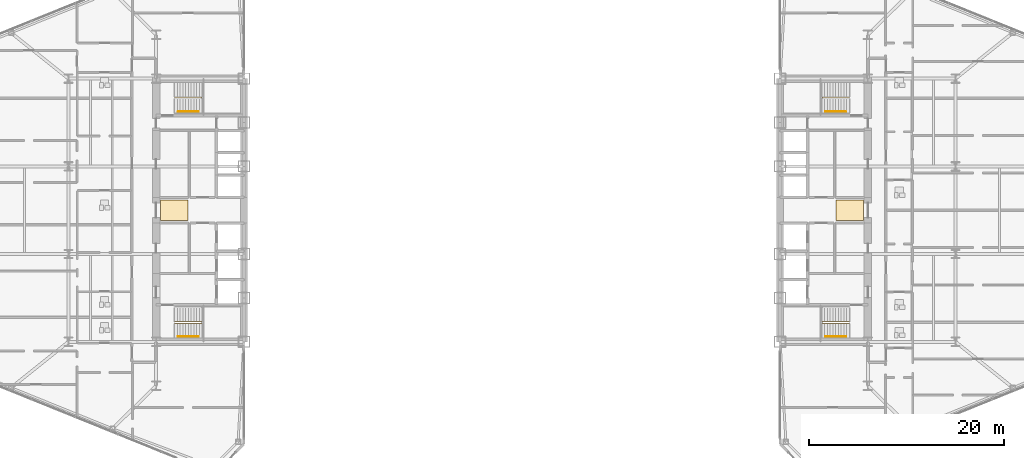
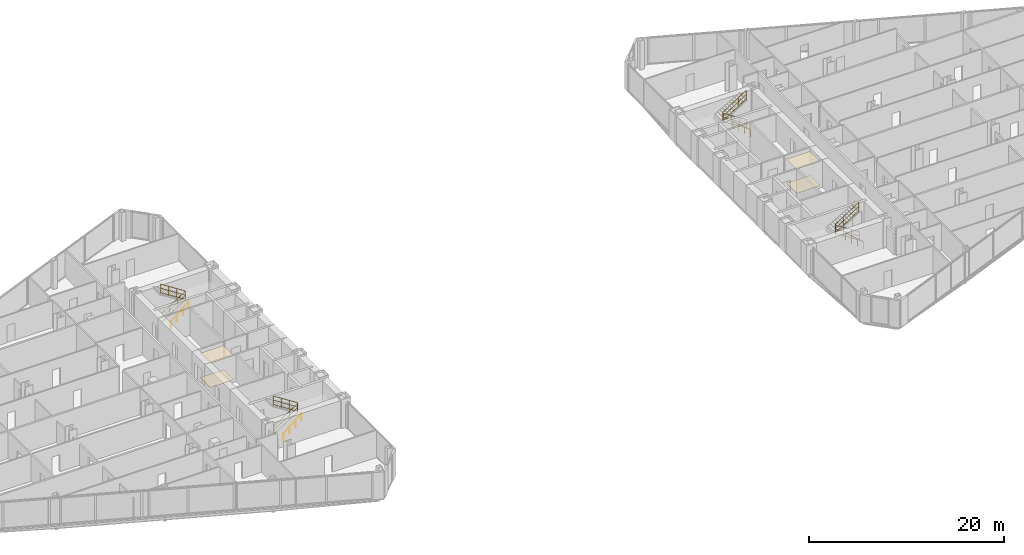
# One storey, part 24 of 25: 8 railings, 4 coverings.
"""IFC4 building model written with IfcOpenShell, lengths in metres."""

from ifc_helpers import new_model, si_unit, direction, frame, origin, origin_2d, place, context, subcontext, project, spatial, polyline, circle, outline, extrude, material, layer, layer_set, type_object, element, save


model = new_model("IFC4")

# Units and contexts
model_context = context("Model", 3, precision=1e-05, world=origin(), true_north=direction((0.0, 1.0)))
body_context = subcontext(model_context, "Body", "Model", "MODEL_VIEW")
ifc_project = project(units=[si_unit("LENGTHUNIT", "METRE"), si_unit("AREAUNIT", "SQUARE_METRE"), si_unit("VOLUMEUNIT", "CUBIC_METRE"), si_unit("PLANEANGLEUNIT", "RADIAN"), si_unit("MASSUNIT", "GRAM", prefix="KILO")], contexts=[model_context])

# Site, building, storey
site_placement = place(None, origin())
site = spatial("IfcSite", under=ifc_project, at=site_placement, CompositionType="ELEMENT")
building_placement = place(site_placement, origin())
building = spatial("IfcBuilding", under=site, at=building_placement, Name="Seokmaru Belvedere", CompositionType="ELEMENT")
storey_placement = place(building_placement, frame((0.0, 0.0, 40.5)))
storey = spatial("IfcBuildingStorey", under=building, at=storey_placement, Name="L10", CompositionType="ELEMENT", Elevation=40.5)

# Coverings
ifc_material_1 = material(Name="Engineered White Oak Timber", Category="wood")
ifc_layer_1 = layer(ifc_material_1, 0.02197265625)
ifc_layer_set_1 = layer_set([ifc_layer_1], Name="Engineered White Oak Timber")
covering_type_1 = type_object("IfcCoveringType", Name="Engineered Oak Residence Floor Finish 22", PredefinedType="FLOORING", material=ifc_layer_set_1)
covering_1_placement = place(storey_placement, origin())
element("IfcCovering", 1, at=covering_1_placement, inside=storey, type_object=covering_type_1, Name="L10 W Foyer Floor Finish", PredefinedType="FLOORING", context=body_context, shape_type="SweptSolid", body=[
    extrude(outline(polyline([(-36.050048828125, -1.050048828125), (-33.25, -1.050048828125), (-33.25, 1.050048828125), (-36.050048828125, 1.050048828125), (-36.050048828125, -1.050048828125)])), origin(), (0.0, 0.0, 1.0), 0.02197265625),
])
covering_2_placement = place(storey_placement, origin())
element("IfcCovering", 2, at=covering_2_placement, inside=storey, type_object=covering_type_1, Name="L10 E Foyer Floor Finish", PredefinedType="FLOORING", context=body_context, shape_type="SweptSolid", body=[
    extrude(outline(polyline([(33.25, -1.050048828125), (36.050048828125, -1.050048828125), (36.050048828125, 1.050048828125), (33.25, 1.050048828125), (33.25, -1.050048828125)])), origin(), (0.0, 0.0, 1.0), 0.02197265625),
])
ifc_material_2 = material(Name="Fire-Rated Gypsum Shaftwall")
ifc_layer_2 = layer(ifc_material_2, 0.02490234375)
ifc_layer_set_2 = layer_set([ifc_layer_2], Name="Fire-Rated Gypsum Shaftwall")
covering_type_2 = type_object("IfcCoveringType", Name="Perforated Acoustic Gypsum Suspended Ceiling 25", PredefinedType="CEILING", material=ifc_layer_set_2)
covering_3_placement = place(storey_placement, frame((0.0, 0.0, 3.030029296875)))
element("IfcCovering", 3, at=covering_3_placement, inside=storey, type_object=covering_type_2, Name="L10 W Lift Foyer Acoustic Ceiling", PredefinedType="CEILING", context=body_context, shape_type="SweptSolid", body=[
    extrude(outline(polyline([(-36.050048828125, -1.050048828125), (-33.25, -1.050048828125), (-33.25, 1.050048828125), (-36.050048828125, 1.050048828125), (-36.050048828125, -1.050048828125)])), origin(), (0.0, 0.0, 1.0), 0.02490234375),
])
covering_4_placement = place(storey_placement, frame((0.0, 0.0, 3.030029296875)))
element("IfcCovering", 4, at=covering_4_placement, inside=storey, type_object=covering_type_2, Name="L10 E Lift Foyer Acoustic Ceiling", PredefinedType="CEILING", context=body_context, shape_type="SweptSolid", body=[
    extrude(outline(polyline([(33.25, -1.050048828125), (36.050048828125, -1.050048828125), (36.050048828125, 1.050048828125), (33.25, 1.050048828125), (33.25, -1.050048828125)])), origin(), (0.0, 0.0, 1.0), 0.02490234375),
])

# Railings
ifc_material_3 = material(Name="Stainless Steel 316", Category="steel")
railing_type_1 = type_object("IfcRailingType", Name="Stainless Steel Wall and Flight Handrail 900", PredefinedType="HANDRAIL", material=ifc_material_3)
for number, where, name in (
    (5, (-34.25, -12.949951171875, 0.0), "L10 Stair ST-W1 Wall Handrail"),
    (6, (-34.25, 10.110107421875, 0.0), "L10 Stair ST-W2 Wall Handrail"),
):
    element("IfcRailing", number, at=place(storey_placement, frame(where)), inside=storey, type_object=railing_type_1, Name=name, PredefinedType="HANDRAIL", context=body_context, shape_type="SweptSolid", body=[
        extrude(circle(Radius=0.02392578125, at=origin_2d()), frame((0.0, 0.0, 0.8759765625), z_axis=(0.759262832861, 0.0, 0.650784104474), x_axis=(0.0, 1.0, 0.0)), (0.0, 0.0, 1.0), 2.765869140625),
        extrude(circle(Radius=0.02099609375, at=origin_2d()), origin(), (0.0, 0.0, 1.0), 0.851806640625),
        extrude(circle(Radius=0.02099609375, at=origin_2d()), frame((0.699951171875, 0.0, 0.60009765625)), (0.0, 0.0, 1.0), 0.851806640625),
        extrude(circle(Radius=0.02099609375, at=origin_2d()), frame((1.400146484375, 0.0, 1.199951171875)), (0.0, 0.0, 1.0), 0.851806640625),
        extrude(circle(Radius=0.02099609375, at=origin_2d()), frame((2.10009765625, 0.0, 1.800048828125)), (0.0, 0.0, 1.0), 0.851806640625),
    ])
for number, where, name in (
    (7, (34.25, -12.949951171875, 0.0), "L10 Stair ST-E1 Wall Handrail"),
    (8, (34.25, 10.110107421875, 0.0), "L10 Stair ST-E2 Wall Handrail"),
):
    element("IfcRailing", number, at=place(storey_placement, frame(where)), inside=storey, type_object=railing_type_1, Name=name, PredefinedType="HANDRAIL", context=body_context, shape_type="SweptSolid", body=[
        extrude(circle(Radius=0.02392578125, at=origin_2d()), frame((0.0, 0.0, 0.8759765625), z_axis=(-0.759262832861, 0.0, 0.650784104474), x_axis=(0.0, -1.0, 0.0)), (0.0, 0.0, 1.0), 2.765869140625),
        extrude(circle(Radius=0.02099609375, at=origin_2d()), origin(), (0.0, 0.0, 1.0), 0.851806640625),
        extrude(circle(Radius=0.02099609375, at=origin_2d()), frame((-0.699951171875, 0.0, 0.60009765625)), (0.0, 0.0, 1.0), 0.851806640625),
        extrude(circle(Radius=0.02099609375, at=origin_2d()), frame((-1.400146484375, 0.0, 1.199951171875)), (0.0, 0.0, 1.0), 0.851806640625),
        extrude(circle(Radius=0.02099609375, at=origin_2d()), frame((-2.10009765625, 0.0, 1.800048828125)), (0.0, 0.0, 1.0), 0.851806640625),
    ])
railing_type_2 = type_object("IfcRailingType", Name="Stair Well and Atrium Steel Guardrail 1200", PredefinedType="GUARDRAIL", material=ifc_material_3)
railing_1_placement = place(storey_placement, frame((-34.60009765625, -11.60009765625, 0.0)))
element("IfcRailing", 9, at=railing_1_placement, inside=storey, type_object=railing_type_2, Name="L10 Stair ST-W1 Inner Well Guardrail", PredefinedType="GUARDRAIL", context=body_context, shape_type="SweptSolid", body=[
    extrude(circle(Radius=0.02392578125, at=origin_2d()), frame((0.0, 0.0, 1.17578125), z_axis=(0.841176092368, 0.0, 0.540761298198), x_axis=(0.0, 1.0, 0.0)), (0.0, 0.0, 1.0), 3.32861328125),
    extrude(circle(Radius=0.02392578125, at=origin_2d()), frame((0.0, 0.0, 0.1201171875), z_axis=(0.841176092368, 0.0, 0.540761298198), x_axis=(0.0, 1.0, 0.0)), (0.0, 0.0, 1.0), 3.32861328125),
    extrude(circle(Radius=0.02392578125, at=origin_2d()), frame((0.0, 0.0, 0.659912109375), z_axis=(0.841176092368, 0.0, 0.540761298198), x_axis=(0.0, 1.0, 0.0)), (0.0, 0.0, 1.0), 3.32861328125),
    extrude(circle(Radius=0.02392578125, at=origin_2d()), frame((2.800048828125, 0.0, 2.97607421875), z_axis=(0.0, 1.0, 0.0), x_axis=(-1.0, 0.0, 0.0)), (0.0, 0.0, 1.0), 0.14013671875),
    extrude(circle(Radius=0.02392578125, at=origin_2d()), frame((2.800048828125, 0.0, 1.920166015625), z_axis=(0.0, 1.0, 0.0), x_axis=(-1.0, 0.0, 0.0)), (0.0, 0.0, 1.0), 0.14013671875),
    extrude(circle(Radius=0.02392578125, at=origin_2d()), frame((2.800048828125, 0.0, 2.4599609375), z_axis=(0.0, 1.0, 0.0), x_axis=(-1.0, 0.0, 0.0)), (0.0, 0.0, 1.0), 0.14013671875),
    extrude(circle(Radius=0.02392578125, at=origin_2d()), frame((2.800048828125, 0.14013671875, 2.97607421875), z_axis=(-0.841176092368, 0.0, 0.540761298198), x_axis=(0.0, -1.0, 0.0)), (0.0, 0.0, 1.0), 3.32861328125),
    extrude(circle(Radius=0.02392578125, at=origin_2d()), frame((2.800048828125, 0.14013671875, 1.920166015625), z_axis=(-0.841176092368, 0.0, 0.540761298198), x_axis=(0.0, -1.0, 0.0)), (0.0, 0.0, 1.0), 3.32861328125),
    extrude(circle(Radius=0.02392578125, at=origin_2d()), frame((2.800048828125, 0.14013671875, 2.4599609375), z_axis=(-0.841176092368, 0.0, 0.540761298198), x_axis=(0.0, -1.0, 0.0)), (0.0, 0.0, 1.0), 3.32861328125),
    extrude(circle(Radius=0.02099609375, at=origin_2d()), origin(), (0.0, 0.0, 1.0), 1.15185546875),
    extrude(circle(Radius=0.02099609375, at=origin_2d()), frame((0.933349609375, 0.0, 0.60009765625)), (0.0, 0.0, 1.0), 1.15185546875),
    extrude(circle(Radius=0.02099609375, at=origin_2d()), frame((1.86669921875, 0.0, 1.199951171875)), (0.0, 0.0, 1.0), 1.15185546875),
    extrude(circle(Radius=0.02099609375, at=origin_2d()), frame((2.800048828125, 0.0, 1.800048828125)), (0.0, 0.0, 1.0), 1.15185546875),
    extrude(circle(Radius=0.02099609375, at=origin_2d()), frame((2.800048828125, 0.14013671875, 1.800048828125)), (0.0, 0.0, 1.0), 1.15185546875),
    extrude(circle(Radius=0.02099609375, at=origin_2d()), frame((1.86669921875, 0.14013671875, 2.400146484375)), (0.0, 0.0, 1.0), 1.15185546875),
    extrude(circle(Radius=0.02099609375, at=origin_2d()), frame((0.933349609375, 0.14013671875, 3.0)), (0.0, 0.0, 1.0), 1.15185546875),
    extrude(circle(Radius=0.02099609375, at=origin_2d()), frame((0.0, 0.14013671875, 3.60009765625)), (0.0, 0.0, 1.0), 1.15185546875),
])
railing_2_placement = place(storey_placement, frame((-34.60009765625, 11.4599609375, 0.0)))
element("IfcRailing", 10, at=railing_2_placement, inside=storey, type_object=railing_type_2, Name="L10 Stair ST-W2 Inner Well Guardrail", PredefinedType="GUARDRAIL", context=body_context, shape_type="SweptSolid", body=[
    extrude(circle(Radius=0.02392578125, at=origin_2d()), frame((0.0, 0.0, 1.17578125), z_axis=(0.841176092368, 0.0, 0.540761298198), x_axis=(0.0, 1.0, 0.0)), (0.0, 0.0, 1.0), 3.32861328125),
    extrude(circle(Radius=0.02392578125, at=origin_2d()), frame((0.0, 0.0, 0.1201171875), z_axis=(0.841176092368, 0.0, 0.540761298198), x_axis=(0.0, 1.0, 0.0)), (0.0, 0.0, 1.0), 3.32861328125),
    extrude(circle(Radius=0.02392578125, at=origin_2d()), frame((0.0, 0.0, 0.659912109375), z_axis=(0.841176092368, 0.0, 0.540761298198), x_axis=(0.0, 1.0, 0.0)), (0.0, 0.0, 1.0), 3.32861328125),
    extrude(circle(Radius=0.02392578125, at=origin_2d()), frame((2.800048828125, 0.0, 2.97607421875), z_axis=(0.0, 1.0, 0.0), x_axis=(-1.0, 0.0, 0.0)), (0.0, 0.0, 1.0), 0.14013671875),
    extrude(circle(Radius=0.02392578125, at=origin_2d()), frame((2.800048828125, 0.0, 1.920166015625), z_axis=(0.0, 1.0, 0.0), x_axis=(-1.0, 0.0, 0.0)), (0.0, 0.0, 1.0), 0.14013671875),
    extrude(circle(Radius=0.02392578125, at=origin_2d()), frame((2.800048828125, 0.0, 2.4599609375), z_axis=(0.0, 1.0, 0.0), x_axis=(-1.0, 0.0, 0.0)), (0.0, 0.0, 1.0), 0.14013671875),
    extrude(circle(Radius=0.02392578125, at=origin_2d()), frame((2.800048828125, 0.14013671875, 2.97607421875), z_axis=(-0.841176092368, 0.0, 0.540761298198), x_axis=(0.0, -1.0, 0.0)), (0.0, 0.0, 1.0), 3.32861328125),
    extrude(circle(Radius=0.02392578125, at=origin_2d()), frame((2.800048828125, 0.14013671875, 1.920166015625), z_axis=(-0.841176092368, 0.0, 0.540761298198), x_axis=(0.0, -1.0, 0.0)), (0.0, 0.0, 1.0), 3.32861328125),
    extrude(circle(Radius=0.02392578125, at=origin_2d()), frame((2.800048828125, 0.14013671875, 2.4599609375), z_axis=(-0.841176092368, 0.0, 0.540761298198), x_axis=(0.0, -1.0, 0.0)), (0.0, 0.0, 1.0), 3.32861328125),
    extrude(circle(Radius=0.02099609375, at=origin_2d()), origin(), (0.0, 0.0, 1.0), 1.15185546875),
    extrude(circle(Radius=0.02099609375, at=origin_2d()), frame((0.933349609375, 0.0, 0.60009765625)), (0.0, 0.0, 1.0), 1.15185546875),
    extrude(circle(Radius=0.02099609375, at=origin_2d()), frame((1.86669921875, 0.0, 1.199951171875)), (0.0, 0.0, 1.0), 1.15185546875),
    extrude(circle(Radius=0.02099609375, at=origin_2d()), frame((2.800048828125, 0.0, 1.800048828125)), (0.0, 0.0, 1.0), 1.15185546875),
    extrude(circle(Radius=0.02099609375, at=origin_2d()), frame((2.800048828125, 0.14013671875, 1.800048828125)), (0.0, 0.0, 1.0), 1.15185546875),
    extrude(circle(Radius=0.02099609375, at=origin_2d()), frame((1.86669921875, 0.14013671875, 2.400146484375)), (0.0, 0.0, 1.0), 1.15185546875),
    extrude(circle(Radius=0.02099609375, at=origin_2d()), frame((0.933349609375, 0.14013671875, 3.0)), (0.0, 0.0, 1.0), 1.15185546875),
    extrude(circle(Radius=0.02099609375, at=origin_2d()), frame((0.0, 0.14013671875, 3.60009765625)), (0.0, 0.0, 1.0), 1.15185546875),
])
railing_3_placement = place(storey_placement, frame((34.60009765625, -11.60009765625, 0.0)))
element("IfcRailing", 11, at=railing_3_placement, inside=storey, type_object=railing_type_2, Name="L10 Stair ST-E1 Inner Well Guardrail", PredefinedType="GUARDRAIL", context=body_context, shape_type="SweptSolid", body=[
    extrude(circle(Radius=0.02392578125, at=origin_2d()), frame((0.0, 0.0, 1.17578125), z_axis=(-0.841176092368, 0.0, 0.540761298198), x_axis=(0.0, -1.0, 0.0)), (0.0, 0.0, 1.0), 3.32861328125),
    extrude(circle(Radius=0.02392578125, at=origin_2d()), frame((0.0, 0.0, 0.1201171875), z_axis=(-0.841176092368, 0.0, 0.540761298198), x_axis=(0.0, -1.0, 0.0)), (0.0, 0.0, 1.0), 3.32861328125),
    extrude(circle(Radius=0.02392578125, at=origin_2d()), frame((0.0, 0.0, 0.659912109375), z_axis=(-0.841176092368, 0.0, 0.540761298198), x_axis=(0.0, -1.0, 0.0)), (0.0, 0.0, 1.0), 3.32861328125),
    extrude(circle(Radius=0.02392578125, at=origin_2d()), frame((-2.800048828125, 0.0, 2.97607421875), z_axis=(0.0, 1.0, 0.0), x_axis=(-1.0, 0.0, 0.0)), (0.0, 0.0, 1.0), 0.14013671875),
    extrude(circle(Radius=0.02392578125, at=origin_2d()), frame((-2.800048828125, 0.0, 1.920166015625), z_axis=(0.0, 1.0, 0.0), x_axis=(-1.0, 0.0, 0.0)), (0.0, 0.0, 1.0), 0.14013671875),
    extrude(circle(Radius=0.02392578125, at=origin_2d()), frame((-2.800048828125, 0.0, 2.4599609375), z_axis=(0.0, 1.0, 0.0), x_axis=(-1.0, 0.0, 0.0)), (0.0, 0.0, 1.0), 0.14013671875),
    extrude(circle(Radius=0.02392578125, at=origin_2d()), frame((-2.800048828125, 0.14013671875, 2.97607421875), z_axis=(0.841176092368, 0.0, 0.540761298198), x_axis=(0.0, 1.0, 0.0)), (0.0, 0.0, 1.0), 3.32861328125),
    extrude(circle(Radius=0.02392578125, at=origin_2d()), frame((-2.800048828125, 0.14013671875, 1.920166015625), z_axis=(0.841176092368, 0.0, 0.540761298198), x_axis=(0.0, 1.0, 0.0)), (0.0, 0.0, 1.0), 3.32861328125),
    extrude(circle(Radius=0.02392578125, at=origin_2d()), frame((-2.800048828125, 0.14013671875, 2.4599609375), z_axis=(0.841176092368, 0.0, 0.540761298198), x_axis=(0.0, 1.0, 0.0)), (0.0, 0.0, 1.0), 3.32861328125),
    extrude(circle(Radius=0.02099609375, at=origin_2d()), origin(), (0.0, 0.0, 1.0), 1.15185546875),
    extrude(circle(Radius=0.02099609375, at=origin_2d()), frame((-0.933349609375, 0.0, 0.60009765625)), (0.0, 0.0, 1.0), 1.15185546875),
    extrude(circle(Radius=0.02099609375, at=origin_2d()), frame((-1.86669921875, 0.0, 1.199951171875)), (0.0, 0.0, 1.0), 1.15185546875),
    extrude(circle(Radius=0.02099609375, at=origin_2d()), frame((-2.800048828125, 0.0, 1.800048828125)), (0.0, 0.0, 1.0), 1.15185546875),
    extrude(circle(Radius=0.02099609375, at=origin_2d()), frame((-2.800048828125, 0.14013671875, 1.800048828125)), (0.0, 0.0, 1.0), 1.15185546875),
    extrude(circle(Radius=0.02099609375, at=origin_2d()), frame((-1.86669921875, 0.14013671875, 2.400146484375)), (0.0, 0.0, 1.0), 1.15185546875),
    extrude(circle(Radius=0.02099609375, at=origin_2d()), frame((-0.933349609375, 0.14013671875, 3.0)), (0.0, 0.0, 1.0), 1.15185546875),
    extrude(circle(Radius=0.02099609375, at=origin_2d()), frame((0.0, 0.14013671875, 3.60009765625)), (0.0, 0.0, 1.0), 1.15185546875),
])
railing_4_placement = place(storey_placement, frame((34.60009765625, 11.4599609375, 0.0)))
element("IfcRailing", 12, at=railing_4_placement, inside=storey, type_object=railing_type_2, Name="L10 Stair ST-E2 Inner Well Guardrail", PredefinedType="GUARDRAIL", context=body_context, shape_type="SweptSolid", body=[
    extrude(circle(Radius=0.02392578125, at=origin_2d()), frame((0.0, 0.0, 1.17578125), z_axis=(-0.841176092368, 0.0, 0.540761298198), x_axis=(0.0, -1.0, 0.0)), (0.0, 0.0, 1.0), 3.32861328125),
    extrude(circle(Radius=0.02392578125, at=origin_2d()), frame((0.0, 0.0, 0.1201171875), z_axis=(-0.841176092368, 0.0, 0.540761298198), x_axis=(0.0, -1.0, 0.0)), (0.0, 0.0, 1.0), 3.32861328125),
    extrude(circle(Radius=0.02392578125, at=origin_2d()), frame((0.0, 0.0, 0.659912109375), z_axis=(-0.841176092368, 0.0, 0.540761298198), x_axis=(0.0, -1.0, 0.0)), (0.0, 0.0, 1.0), 3.32861328125),
    extrude(circle(Radius=0.02392578125, at=origin_2d()), frame((-2.800048828125, 0.0, 2.97607421875), z_axis=(0.0, 1.0, 0.0), x_axis=(-1.0, 0.0, 0.0)), (0.0, 0.0, 1.0), 0.14013671875),
    extrude(circle(Radius=0.02392578125, at=origin_2d()), frame((-2.800048828125, 0.0, 1.920166015625), z_axis=(0.0, 1.0, 0.0), x_axis=(-1.0, 0.0, 0.0)), (0.0, 0.0, 1.0), 0.14013671875),
    extrude(circle(Radius=0.02392578125, at=origin_2d()), frame((-2.800048828125, 0.0, 2.4599609375), z_axis=(0.0, 1.0, 0.0), x_axis=(-1.0, 0.0, 0.0)), (0.0, 0.0, 1.0), 0.14013671875),
    extrude(circle(Radius=0.02392578125, at=origin_2d()), frame((-2.800048828125, 0.14013671875, 2.97607421875), z_axis=(0.841176092368, 0.0, 0.540761298198), x_axis=(0.0, 1.0, 0.0)), (0.0, 0.0, 1.0), 3.32861328125),
    extrude(circle(Radius=0.02392578125, at=origin_2d()), frame((-2.800048828125, 0.14013671875, 1.920166015625), z_axis=(0.841176092368, 0.0, 0.540761298198), x_axis=(0.0, 1.0, 0.0)), (0.0, 0.0, 1.0), 3.32861328125),
    extrude(circle(Radius=0.02392578125, at=origin_2d()), frame((-2.800048828125, 0.14013671875, 2.4599609375), z_axis=(0.841176092368, 0.0, 0.540761298198), x_axis=(0.0, 1.0, 0.0)), (0.0, 0.0, 1.0), 3.32861328125),
    extrude(circle(Radius=0.02099609375, at=origin_2d()), origin(), (0.0, 0.0, 1.0), 1.15185546875),
    extrude(circle(Radius=0.02099609375, at=origin_2d()), frame((-0.933349609375, 0.0, 0.60009765625)), (0.0, 0.0, 1.0), 1.15185546875),
    extrude(circle(Radius=0.02099609375, at=origin_2d()), frame((-1.86669921875, 0.0, 1.199951171875)), (0.0, 0.0, 1.0), 1.15185546875),
    extrude(circle(Radius=0.02099609375, at=origin_2d()), frame((-2.800048828125, 0.0, 1.800048828125)), (0.0, 0.0, 1.0), 1.15185546875),
    extrude(circle(Radius=0.02099609375, at=origin_2d()), frame((-2.800048828125, 0.14013671875, 1.800048828125)), (0.0, 0.0, 1.0), 1.15185546875),
    extrude(circle(Radius=0.02099609375, at=origin_2d()), frame((-1.86669921875, 0.14013671875, 2.400146484375)), (0.0, 0.0, 1.0), 1.15185546875),
    extrude(circle(Radius=0.02099609375, at=origin_2d()), frame((-0.933349609375, 0.14013671875, 3.0)), (0.0, 0.0, 1.0), 1.15185546875),
    extrude(circle(Radius=0.02099609375, at=origin_2d()), frame((0.0, 0.14013671875, 3.60009765625)), (0.0, 0.0, 1.0), 1.15185546875),
])

save(model, "model.ifc")
